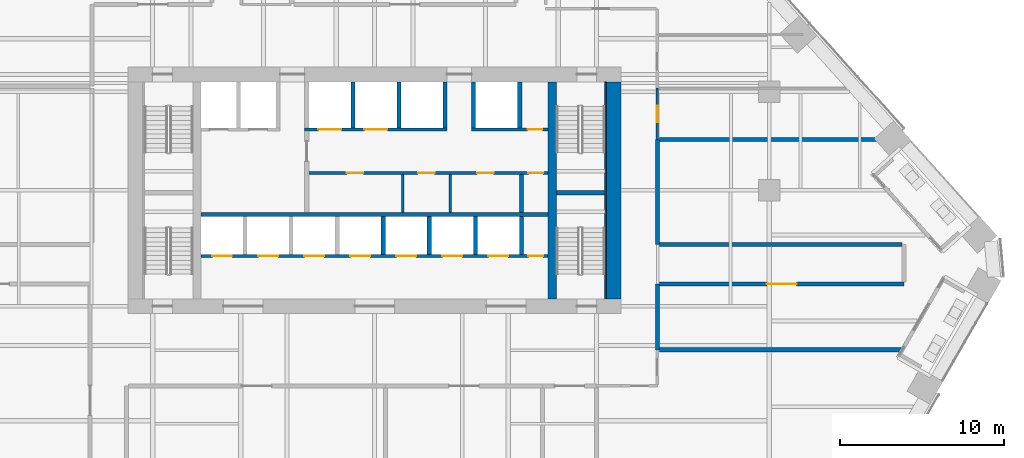
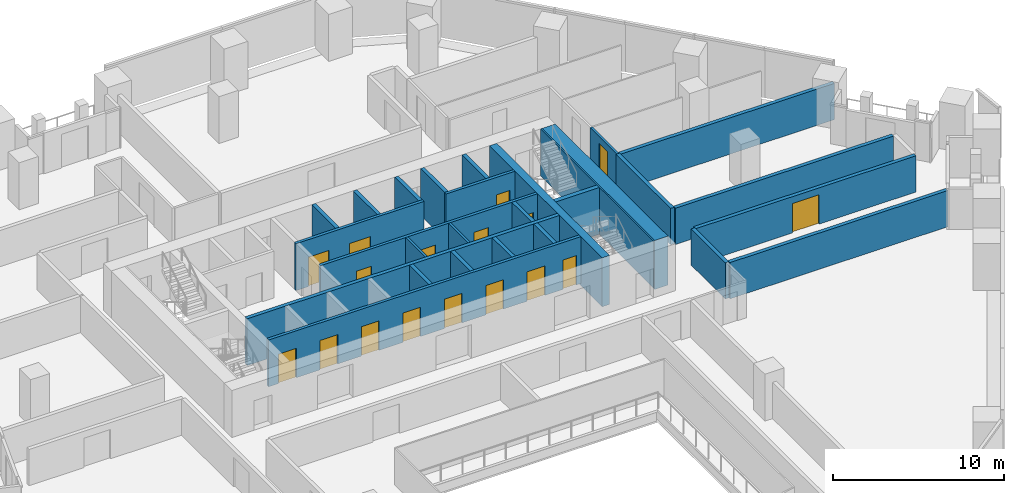
# One storey, part 24 of 31: 28 walls, 17 doors, 17 openings.
"""IFC4 building model written with IfcOpenShell, lengths in metres."""

from ifc_helpers import new_model, si_unit, direction, frame, frame_2d, origin, place, context, subcontext, project, spatial, rectangle, extrude, material, layer, layer_set, type_object, element, fill, save


model = new_model("IFC4")

# Units and contexts
model_context = context("Model", 3, precision=1e-05, world=origin(), true_north=direction((0.0, 1.0)))
body_context = subcontext(model_context, "Body", "Model", "MODEL_VIEW")
ifc_project = project(units=[si_unit("LENGTHUNIT", "METRE"), si_unit("AREAUNIT", "SQUARE_METRE"), si_unit("VOLUMEUNIT", "CUBIC_METRE"), si_unit("PLANEANGLEUNIT", "RADIAN"), si_unit("MASSUNIT", "GRAM", prefix="KILO")], contexts=[model_context])

# Site, building, storey
site_placement = place(None, origin())
site = spatial("IfcSite", under=ifc_project, at=site_placement, CompositionType="ELEMENT")
building_placement = place(site_placement, origin())
building = spatial("IfcBuilding", under=site, at=building_placement, Name="Isthmus Gate Tower", CompositionType="ELEMENT")
storey_placement = place(building_placement, frame((0.0, 0.0, 113.5)))
storey = spatial("IfcBuildingStorey", under=building, at=storey_placement, Name="L27", CompositionType="ELEMENT", Elevation=113.5)

# Wall
ifc_material_1 = material(Name="Double-leaf acoustic stud wall, fire-rated", Category="gypsum")
ifc_layer_1 = layer(ifc_material_1, 0.25)
ifc_layer_set_1 = layer_set([ifc_layer_1], Name="ACOUSTIC WALL 250 60 MIN")
wall_type_1 = type_object("IfcWallType", Name="ACOUSTIC WALL 250 60 MIN", PredefinedType="PARTITIONING", material=ifc_layer_set_1)
wall_1_placement = place(storey_placement, frame((17.199951171875, 1.800048828125, 0.0), z_axis=(0.0, 0.0, 1.0), x_axis=(0.0, -1.0, 0.0)))
element("IfcWall", 1, at=wall_1_placement, inside=storey, type_object=wall_type_1, Name="L27 Acoustic Wall 250 60 Min", PredefinedType="PARTITIONING", context=body_context, shape_type="SweptSolid", body=[
    extrude(rectangle(XDim=4.0, YDim=0.25, at=frame_2d((2.0, 0.0))), origin(), (0.0, 0.0, 1.0), 2.59130859375),
])

# Wall, opening, door
wall_2_placement = place(storey_placement, frame((32.199951171875, 1.800048828125, 0.0), z_axis=(0.0, 0.0, 1.0), x_axis=(-1.0, 0.0, 0.0)))
wall_2 = element("IfcWall", 2, at=wall_2_placement, inside=storey, type_object=wall_type_1, Name="L27 Acoustic Wall 250 60 Min", PredefinedType="PARTITIONING", context=body_context, shape_type="SweptSolid", body=[
    extrude(rectangle(XDim=14.875, YDim=0.25, at=frame_2d((7.4375, 0.0))), origin(), (0.0, 0.0, 1.0), 2.59130859375),
])
opening_1_placement = place(wall_2_placement, frame((6.53759765625, 0.0, 0.0)))
opening_1 = element("IfcOpeningElement", 3, at=opening_1_placement, cuts=wall_2, Name="Opening DT-T2D-17", PredefinedType="OPENING", context=body_context, shape_type="SweptSolid", body=[
    extrude(rectangle(XDim=1.800048828125, YDim=2.10009765625, at=frame_2d((0.89990234375, 1.050048828125))), frame((0.0, 0.135009765625, 0.0), z_axis=(0.0, -1.0, 0.0), x_axis=(1.0, 0.0, 0.0)), (0.0, 0.0, 1.0), 0.27001953125),
])
ifc_material_2 = material(Name="Solid core timber door leaf, fire-rated", Category="wood")
door_type_1 = type_object("IfcDoorType", Name="FIRE DOOR ACOUSTIC ROOM 1800 X 2100 60 MIN", OperationType="DOUBLE_DOOR_DOUBLE_SWING", PredefinedType="DOOR", material=ifc_material_2)
door_1_placement = place(opening_1_placement, origin())
door_1 = element("IfcDoor", 4, at=door_1_placement, inside=storey, type_object=door_type_1, Name="L27 room door", OperationType="DOUBLE_DOOR_DOUBLE_SWING", OverallHeight=2.10009765625, OverallWidth=1.800048828125, PredefinedType="DOOR", context=body_context, shape_type="SweptSolid", body=[
    extrude(rectangle(XDim=1.800048828125, YDim=2.10009765625, at=frame_2d((0.89990234375, 1.050048828125))), frame((0.0, 0.02490234375, 0.0), z_axis=(0.0, -1.0, 0.0), x_axis=(1.0, 0.0, 0.0)), (0.0, 0.0, 1.0), 0.050048828125),
])
fill(opening_1, door_1)

# Walls
wall_3_placement = place(storey_placement, frame((17.199951171875, 10.583984375, 0.0), z_axis=(0.0, 0.0, 1.0), x_axis=(0.0, -1.0, 0.0)))
element("IfcWall", 5, at=wall_3_placement, inside=storey, type_object=wall_type_1, Name="L27 Acoustic Wall 250 60 Min", PredefinedType="PARTITIONING", context=body_context, shape_type="SweptSolid", body=[
    extrude(rectangle(XDim=6.384033203125, YDim=0.25, at=frame_2d((3.19189453125, 0.0))), origin(), (0.0, 0.0, 1.0), 2.59130859375),
])
wall_4_placement = place(storey_placement, frame((17.324951171875, 10.583984375, 0.0), z_axis=(0.0, 0.0, 1.0), x_axis=(1.0, 0.0, 0.0)))
element("IfcWall", 6, at=wall_4_placement, inside=storey, type_object=wall_type_1, Name="L27 Acoustic Wall 250 60 Min", PredefinedType="PARTITIONING", context=body_context, shape_type="SweptSolid", body=[
    extrude(rectangle(XDim=14.45703125, YDim=0.25, at=frame_2d((7.228515625, 0.0))), origin(), (0.0, 0.0, 1.0), 2.59130859375),
])
wall_5_placement = place(storey_placement, frame((17.324951171875, 4.199951171875, 0.0), z_axis=(0.0, 0.0, 1.0), x_axis=(1.0, 0.0, 0.0)))
element("IfcWall", 7, at=wall_5_placement, inside=storey, type_object=wall_type_1, Name="L27 Acoustic Wall 250 60 Min", PredefinedType="PARTITIONING", context=body_context, shape_type="SweptSolid", body=[
    extrude(rectangle(XDim=14.75, YDim=0.25, at=frame_2d((7.375, 0.0))), origin(), (0.0, 0.0, 1.0), 2.59130859375),
])
wall_6_placement = place(storey_placement, frame((17.324951171875, -2.199951171875, 0.0), z_axis=(0.0, 0.0, 1.0), x_axis=(1.0, 0.0, 0.0)))
element("IfcWall", 8, at=wall_6_placement, inside=storey, type_object=wall_type_1, Name="L27 Acoustic Wall 250 60 Min", PredefinedType="PARTITIONING", context=body_context, shape_type="SweptSolid", body=[
    extrude(rectangle(XDim=14.727294921875, YDim=0.25, at=frame_2d((7.36376953125, 0.0))), origin(), (0.0, 0.0, 1.0), 2.59130859375),
])

# Wall, opening, door
ifc_material_3 = material(Name="Gypsum board on steel studs, fire-rated", Category="steel")
ifc_layer_2 = layer(ifc_material_3, 0.14990234375)
ifc_layer_set_2 = layer_set([ifc_layer_2], Name="CORRIDOR WALL 150 60 MIN")
wall_type_2 = type_object("IfcWallType", Name="CORRIDOR WALL 150 60 MIN", PredefinedType="PARTITIONING", material=ifc_layer_set_2)
wall_7_placement = place(storey_placement, frame((17.199951171875, 13.708984375, 0.0), z_axis=(0.0, 0.0, 1.0), x_axis=(0.0, -1.0, 0.0)))
wall_7 = element("IfcWall", 9, at=wall_7_placement, inside=storey, type_object=wall_type_2, Name="L27 Corridor Wall 150 60 Min", PredefinedType="PARTITIONING", context=body_context, shape_type="SweptSolid", body=[
    extrude(rectangle(XDim=3.125, YDim=0.14990234375, at=frame_2d((1.5625, 0.0))), origin(), (0.0, 0.0, 1.0), 2.59130859375),
])
opening_2_placement = place(wall_7_placement, frame((1.0625, 0.0, 0.0)))
opening_2 = element("IfcOpeningElement", 10, at=opening_2_placement, cuts=wall_7, Name="Opening DT-T2D-08", PredefinedType="OPENING", context=body_context, shape_type="SweptSolid", body=[
    extrude(rectangle(XDim=1.0, YDim=2.10009765625, at=frame_2d((0.5, 1.050048828125))), frame((0.0, 0.0849609375, 0.0), z_axis=(0.0, -1.0, 0.0), x_axis=(1.0, 0.0, 0.0)), (0.0, 0.0, 1.0), 0.169921875),
])
ifc_material_4 = material(Name="Solid core timber door leaf, fire-rated", Category="wood")
door_type_2 = type_object("IfcDoorType", Name="FIRE DOOR ROOM 1000 X 2100 60 MIN", OperationType="SINGLE_SWING_LEFT", PredefinedType="DOOR", material=ifc_material_4)
door_2_placement = place(opening_2_placement, origin())
door_2 = element("IfcDoor", 11, at=door_2_placement, inside=storey, type_object=door_type_2, Name="L27 room door", OperationType="SINGLE_SWING_RIGHT", OverallHeight=2.10009765625, OverallWidth=1.0, PredefinedType="DOOR", context=body_context, shape_type="SweptSolid", body=[
    extrude(rectangle(XDim=1.0, YDim=2.10009765625, at=frame_2d((0.5, 1.050048828125))), frame((0.0, 0.02490234375, 0.0), z_axis=(0.0, -1.0, 0.0), x_axis=(1.0, 0.0, 0.0)), (0.0, 0.0, 1.0), 0.050048828125),
])
fill(opening_2, door_2)

# Walls
ifc_material_5 = material(Name="Concrete f'c 70 MPa", Category="concrete")
ifc_layer_3 = layer(ifc_material_5, 0.5)
ifc_layer_set_3 = layer_set([ifc_layer_3], Name="RC CORE SPINE WALL 500 F'C 70")
wall_type_3 = type_object("IfcWallType", Name="RC CORE SPINE WALL 500 F'C 70", PredefinedType="SOLIDWALL", material=ifc_layer_set_3)
wall_8_placement = place(storey_placement, frame((10.800048828125, 0.89990234375, -0.14990234375), z_axis=(0.0, 0.0, 1.0), x_axis=(0.0, 1.0, 0.0)))
element("IfcWall", 12, at=wall_8_placement, inside=storey, type_object=wall_type_3, Name="str-corewall-L27-SPE", PredefinedType="SOLIDWALL", context=body_context, shape_type="SweptSolid", body=[
    extrude(rectangle(XDim=13.2001953125, YDim=0.5, at=frame_2d((6.60009765625, 0.0))), origin(), (0.0, 0.0, 1.0), 3.5),
])
ifc_material_6 = material(Name="Concrete f'c 70 MPa", Category="concrete")
ifc_layer_4 = layer(ifc_material_6, 0.89990234375)
ifc_layer_set_4 = layer_set([ifc_layer_4], Name="RC CORE WALL 900 F'C 70")
wall_type_4 = type_object("IfcWallType", Name="RC CORE WALL 900 F'C 70", PredefinedType="SOLIDWALL", material=ifc_layer_set_4)
wall_9_placement = place(storey_placement, frame((14.550048828125, 0.89990234375, -0.14990234375), z_axis=(0.0, 0.0, 1.0), x_axis=(0.0, 1.0, 0.0)))
element("IfcWall", 13, at=wall_9_placement, inside=storey, type_object=wall_type_4, Name="str-corewall-L27-E", PredefinedType="SOLIDWALL", context=body_context, shape_type="SweptSolid", body=[
    extrude(rectangle(XDim=13.2001953125, YDim=0.89990234375, at=frame_2d((6.60009765625, 0.0))), origin(), (0.0, 0.0, 1.0), 3.5),
])
ifc_material_7 = material(Name="Gypsum board on steel studs, fire-rated", Category="steel")
ifc_layer_5 = layer(ifc_material_7, 0.14990234375)
ifc_layer_set_5 = layer_set([ifc_layer_5], Name="ROOM PARTITION 150 60 MIN")
wall_type_5 = type_object("IfcWallType", Name="ROOM PARTITION 150 60 MIN", PredefinedType="PARTITIONING", material=ifc_layer_set_5)
for number, where, z_axis, x_axis, name in (
    (14, (1.699951171875, 6.14990234375, 0.0), (0.0, 0.0, 1.0), (0.0, 1.0, 0.0), "L27 ROOM PARTITION 150 60 MIN"),
    (15, (4.60009765625, 6.14990234375, 0.0), (0.0, 0.0, 1.0), (0.0, 1.0, 0.0), "L27 ROOM PARTITION 150 60 MIN"),
):
    element("IfcWall", number, at=place(storey_placement, frame(where, z_axis=z_axis, x_axis=x_axis)), inside=storey, type_object=wall_type_5, Name=name, PredefinedType="PARTITIONING", context=body_context, shape_type="SweptSolid", body=[
        extrude(rectangle(XDim=2.300048828125, YDim=0.14990234375, at=frame_2d((1.14990234375, 0.0))), origin(), (0.0, 0.0, 1.0), 3.35009765625),
    ])

# Wall, openings, doors
ifc_material_8 = material(Name="Fire-rated blockwork masonry, 15 MPa", Category="masonry")
ifc_layer_6 = layer(ifc_material_8, 0.199951171875)
ifc_layer_set_6 = layer_set([ifc_layer_6], Name="SHAFT FRONT WALL 200 120 MIN")
wall_type_6 = type_object("IfcWallType", Name="SHAFT FRONT WALL 200 120 MIN", PredefinedType="PARTITIONING", material=ifc_layer_set_6)
wall_10_placement = place(storey_placement, frame((-10.550048828125, 3.5, 0.0), z_axis=(0.0, 0.0, 1.0), x_axis=(1.0, 0.0, 0.0)))
wall_10 = element("IfcWall", 16, at=wall_10_placement, inside=storey, type_object=wall_type_6, Name="L27 SHAFT FRONT WALL 200 120 MIN", PredefinedType="PARTITIONING", context=body_context, shape_type="SweptSolid", body=[
    extrude(rectangle(XDim=21.10009765625, YDim=0.199951171875, at=frame_2d((10.550048828125, 0.0))), origin(), (0.0, 0.0, 1.0), 3.35009765625),
])
opening_3_placement = place(wall_10_placement, frame((0.675048828125, 0.0, 0.0)))
opening_3 = element("IfcOpeningElement", 17, at=opening_3_placement, cuts=wall_10, Name="Opening LD-LA1", PredefinedType="OPENING", context=body_context, shape_type="SweptSolid", body=[
    extrude(rectangle(XDim=1.199951171875, YDim=2.10009765625, at=frame_2d((0.60009765625, 1.050048828125))), frame((0.0, 0.10986328125, 0.0), z_axis=(0.0, -1.0, 0.0), x_axis=(1.0, 0.0, 0.0)), (0.0, 0.0, 1.0), 0.219970703125),
])
opening_4_placement = place(wall_10_placement, frame((3.47509765625, 0.0, 0.0)))
opening_4 = element("IfcOpeningElement", 18, at=opening_4_placement, cuts=wall_10, Name="Opening LD-LA2", PredefinedType="OPENING", context=body_context, shape_type="SweptSolid", body=[
    extrude(rectangle(XDim=1.199951171875, YDim=2.10009765625, at=frame_2d((0.60009765625, 1.050048828125))), frame((0.0, 0.10986328125, 0.0), z_axis=(0.0, -1.0, 0.0), x_axis=(1.0, 0.0, 0.0)), (0.0, 0.0, 1.0), 0.219970703125),
])
opening_5_placement = place(wall_10_placement, frame((6.27490234375, 0.0, 0.0)))
opening_5 = element("IfcOpeningElement", 19, at=opening_5_placement, cuts=wall_10, Name="Opening LD-LA3", PredefinedType="OPENING", context=body_context, shape_type="SweptSolid", body=[
    extrude(rectangle(XDim=1.199951171875, YDim=2.10009765625, at=frame_2d((0.60009765625, 1.050048828125))), frame((0.0, 0.10986328125, 0.0), z_axis=(0.0, -1.0, 0.0), x_axis=(1.0, 0.0, 0.0)), (0.0, 0.0, 1.0), 0.219970703125),
])
opening_6_placement = place(wall_10_placement, frame((9.074951171875, 0.0, 0.0)))
opening_6 = element("IfcOpeningElement", 20, at=opening_6_placement, cuts=wall_10, Name="Opening LD-LA4", PredefinedType="OPENING", context=body_context, shape_type="SweptSolid", body=[
    extrude(rectangle(XDim=1.199951171875, YDim=2.10009765625, at=frame_2d((0.60009765625, 1.050048828125))), frame((0.0, 0.10986328125, 0.0), z_axis=(0.0, -1.0, 0.0), x_axis=(1.0, 0.0, 0.0)), (0.0, 0.0, 1.0), 0.219970703125),
])
opening_7_placement = place(wall_10_placement, frame((11.875, 0.0, 0.0)))
opening_7 = element("IfcOpeningElement", 21, at=opening_7_placement, cuts=wall_10, Name="Opening LD-LA5", PredefinedType="OPENING", context=body_context, shape_type="SweptSolid", body=[
    extrude(rectangle(XDim=1.199951171875, YDim=2.10009765625, at=frame_2d((0.60009765625, 1.050048828125))), frame((0.0, 0.10986328125, 0.0), z_axis=(0.0, -1.0, 0.0), x_axis=(1.0, 0.0, 0.0)), (0.0, 0.0, 1.0), 0.219970703125),
])
opening_8_placement = place(wall_10_placement, frame((14.675048828125, 0.0, 0.0)))
opening_8 = element("IfcOpeningElement", 22, at=opening_8_placement, cuts=wall_10, Name="Opening LD-LA6", PredefinedType="OPENING", context=body_context, shape_type="SweptSolid", body=[
    extrude(rectangle(XDim=1.199951171875, YDim=2.10009765625, at=frame_2d((0.60009765625, 1.050048828125))), frame((0.0, 0.10986328125, 0.0), z_axis=(0.0, -1.0, 0.0), x_axis=(1.0, 0.0, 0.0)), (0.0, 0.0, 1.0), 0.219970703125),
])
opening_9_placement = place(wall_10_placement, frame((17.47509765625, 0.0, 0.0)))
opening_9 = element("IfcOpeningElement", 23, at=opening_9_placement, cuts=wall_10, Name="Opening LD-LA7", PredefinedType="OPENING", context=body_context, shape_type="SweptSolid", body=[
    extrude(rectangle(XDim=1.199951171875, YDim=2.10009765625, at=frame_2d((0.60009765625, 1.050048828125))), frame((0.0, 0.10986328125, 0.0), z_axis=(0.0, -1.0, 0.0), x_axis=(1.0, 0.0, 0.0)), (0.0, 0.0, 1.0), 0.219970703125),
])
opening_10_placement = place(wall_10_placement, frame((19.89990234375, 0.0, 0.0)))
opening_10 = element("IfcOpeningElement", 24, at=opening_10_placement, cuts=wall_10, Name="Opening DC-A04-02", PredefinedType="OPENING", context=body_context, shape_type="SweptSolid", body=[
    extrude(rectangle(XDim=0.89990234375, YDim=2.10009765625, at=frame_2d((0.449951171875, 1.050048828125))), frame((0.0, 0.10986328125, 0.0), z_axis=(0.0, -1.0, 0.0), x_axis=(1.0, 0.0, 0.0)), (0.0, 0.0, 1.0), 0.219970703125),
])
ifc_material_9 = material(Name="Stainless steel sliding leaf", Category="steel")
door_type_3 = type_object("IfcDoorType", Name="LIFT LANDING FIRE DOOR 1200 X 2100 90 MIN", OperationType="DOUBLE_DOOR_SLIDING", PredefinedType="DOOR", material=ifc_material_9)
door_3_placement = place(opening_3_placement, origin())
door_3 = element("IfcDoor", 25, at=door_3_placement, inside=storey, type_object=door_type_3, Name="Lift Landing Door LA1", OperationType="DOUBLE_DOOR_SLIDING", OverallHeight=2.10009765625, OverallWidth=1.199951171875, PredefinedType="DOOR", context=body_context, shape_type="SweptSolid", body=[
    extrude(rectangle(XDim=1.199951171875, YDim=2.10009765625, at=frame_2d((0.60009765625, 1.050048828125))), frame((0.0, 0.02490234375, 0.0), z_axis=(0.0, -1.0, 0.0), x_axis=(1.0, 0.0, 0.0)), (0.0, 0.0, 1.0), 0.050048828125),
])
fill(opening_3, door_3)
door_4_placement = place(opening_4_placement, origin())
door_4 = element("IfcDoor", 26, at=door_4_placement, inside=storey, type_object=door_type_3, Name="Lift Landing Door LA2", OperationType="DOUBLE_DOOR_SLIDING", OverallHeight=2.10009765625, OverallWidth=1.199951171875, PredefinedType="DOOR", context=body_context, shape_type="SweptSolid", body=[
    extrude(rectangle(XDim=1.199951171875, YDim=2.10009765625, at=frame_2d((0.60009765625, 1.050048828125))), frame((0.0, 0.02490234375, 0.0), z_axis=(0.0, -1.0, 0.0), x_axis=(1.0, 0.0, 0.0)), (0.0, 0.0, 1.0), 0.050048828125),
])
fill(opening_4, door_4)
door_5_placement = place(opening_5_placement, origin())
door_5 = element("IfcDoor", 27, at=door_5_placement, inside=storey, type_object=door_type_3, Name="Lift Landing Door LA3", OperationType="DOUBLE_DOOR_SLIDING", OverallHeight=2.10009765625, OverallWidth=1.199951171875, PredefinedType="DOOR", context=body_context, shape_type="SweptSolid", body=[
    extrude(rectangle(XDim=1.199951171875, YDim=2.10009765625, at=frame_2d((0.60009765625, 1.050048828125))), frame((0.0, 0.02490234375, 0.0), z_axis=(0.0, -1.0, 0.0), x_axis=(1.0, 0.0, 0.0)), (0.0, 0.0, 1.0), 0.050048828125),
])
fill(opening_5, door_5)
door_6_placement = place(opening_6_placement, origin())
door_6 = element("IfcDoor", 28, at=door_6_placement, inside=storey, type_object=door_type_3, Name="Lift Landing Door LA4", OperationType="DOUBLE_DOOR_SLIDING", OverallHeight=2.10009765625, OverallWidth=1.199951171875, PredefinedType="DOOR", context=body_context, shape_type="SweptSolid", body=[
    extrude(rectangle(XDim=1.199951171875, YDim=2.10009765625, at=frame_2d((0.60009765625, 1.050048828125))), frame((0.0, 0.02490234375, 0.0), z_axis=(0.0, -1.0, 0.0), x_axis=(1.0, 0.0, 0.0)), (0.0, 0.0, 1.0), 0.050048828125),
])
fill(opening_6, door_6)
door_7_placement = place(opening_7_placement, origin())
door_7 = element("IfcDoor", 29, at=door_7_placement, inside=storey, type_object=door_type_3, Name="Lift Landing Door LA5", OperationType="DOUBLE_DOOR_SLIDING", OverallHeight=2.10009765625, OverallWidth=1.199951171875, PredefinedType="DOOR", context=body_context, shape_type="SweptSolid", body=[
    extrude(rectangle(XDim=1.199951171875, YDim=2.10009765625, at=frame_2d((0.60009765625, 1.050048828125))), frame((0.0, 0.02490234375, 0.0), z_axis=(0.0, -1.0, 0.0), x_axis=(1.0, 0.0, 0.0)), (0.0, 0.0, 1.0), 0.050048828125),
])
fill(opening_7, door_7)
door_8_placement = place(opening_8_placement, origin())
door_8 = element("IfcDoor", 30, at=door_8_placement, inside=storey, type_object=door_type_3, Name="Lift Landing Door LA6", OperationType="DOUBLE_DOOR_SLIDING", OverallHeight=2.10009765625, OverallWidth=1.199951171875, PredefinedType="DOOR", context=body_context, shape_type="SweptSolid", body=[
    extrude(rectangle(XDim=1.199951171875, YDim=2.10009765625, at=frame_2d((0.60009765625, 1.050048828125))), frame((0.0, 0.02490234375, 0.0), z_axis=(0.0, -1.0, 0.0), x_axis=(1.0, 0.0, 0.0)), (0.0, 0.0, 1.0), 0.050048828125),
])
fill(opening_8, door_8)
door_9_placement = place(opening_9_placement, origin())
door_9 = element("IfcDoor", 31, at=door_9_placement, inside=storey, type_object=door_type_3, Name="Lift Landing Door LA7", OperationType="DOUBLE_DOOR_SLIDING", OverallHeight=2.10009765625, OverallWidth=1.199951171875, PredefinedType="DOOR", context=body_context, shape_type="SweptSolid", body=[
    extrude(rectangle(XDim=1.199951171875, YDim=2.10009765625, at=frame_2d((0.60009765625, 1.050048828125))), frame((0.0, 0.02490234375, 0.0), z_axis=(0.0, -1.0, 0.0), x_axis=(1.0, 0.0, 0.0)), (0.0, 0.0, 1.0), 0.050048828125),
])
fill(opening_9, door_9)
ifc_material_10 = material(Name="Steel door leaf, fire-rated", Category="steel")
door_type_4 = type_object("IfcDoorType", Name="RISER FIRE DOOR 900 X 2100 90 MIN", OperationType="SINGLE_SWING_LEFT", PredefinedType="DOOR", material=ifc_material_10)
door_10_placement = place(opening_10_placement, origin())
door_10 = element("IfcDoor", 32, at=door_10_placement, inside=storey, type_object=door_type_4, Name="Riser Door", OperationType="SINGLE_SWING_RIGHT", OverallHeight=2.10009765625, OverallWidth=0.89990234375, PredefinedType="DOOR", context=body_context, shape_type="SweptSolid", body=[
    extrude(rectangle(XDim=0.89990234375, YDim=2.10009765625, at=frame_2d((0.449951171875, 1.050048828125))), frame((0.0, 0.02490234375, 0.0), z_axis=(0.0, -1.0, 0.0), x_axis=(1.0, 0.0, 0.0)), (0.0, 0.0, 1.0), 0.050048828125),
])
fill(opening_10, door_10)

wall_11_placement = place(storey_placement, frame((-4.125, 8.550048828125, 0.0), z_axis=(0.0, 0.0, 1.0), x_axis=(1.0, 0.0, 0.0)))
wall_11 = element("IfcWall", 33, at=wall_11_placement, inside=storey, type_object=wall_type_6, Name="L27 SHAFT FRONT WALL 200 120 MIN", PredefinedType="PARTITIONING", context=body_context, shape_type="SweptSolid", body=[
    extrude(rectangle(XDim=14.675048828125, YDim=0.199951171875, at=frame_2d((7.33740234375, 0.0))), origin(), (0.0, 0.0, 1.0), 3.35009765625),
])
opening_11_placement = place(wall_11_placement, frame((2.4375, 0.0, 0.0)))
opening_11 = element("IfcOpeningElement", 34, at=opening_11_placement, cuts=wall_11, Name="Opening DC-A04-03", PredefinedType="OPENING", context=body_context, shape_type="SweptSolid", body=[
    extrude(rectangle(XDim=1.0, YDim=2.10009765625, at=frame_2d((0.5, 1.050048828125))), frame((0.0, 0.10986328125, 0.0), z_axis=(0.0, -1.0, 0.0), x_axis=(1.0, 0.0, 0.0)), (0.0, 0.0, 1.0), 0.219970703125),
])
opening_12_placement = place(wall_11_placement, frame((6.77490234375, 0.0, 0.0)))
opening_12 = element("IfcOpeningElement", 35, at=opening_12_placement, cuts=wall_11, Name="Opening DC-A04-04", PredefinedType="OPENING", context=body_context, shape_type="SweptSolid", body=[
    extrude(rectangle(XDim=1.0, YDim=2.10009765625, at=frame_2d((0.5, 1.050048828125))), frame((0.0, 0.10986328125, 0.0), z_axis=(0.0, -1.0, 0.0), x_axis=(1.0, 0.0, 0.0)), (0.0, 0.0, 1.0), 0.219970703125),
])
opening_13_placement = place(wall_11_placement, frame((10.362548828125, 0.0, 0.0)))
opening_13 = element("IfcOpeningElement", 36, at=opening_13_placement, cuts=wall_11, Name="Opening DC-A04-05", PredefinedType="OPENING", context=body_context, shape_type="SweptSolid", body=[
    extrude(rectangle(XDim=1.0, YDim=2.10009765625, at=frame_2d((0.5, 1.050048828125))), frame((0.0, 0.10986328125, 0.0), z_axis=(0.0, -1.0, 0.0), x_axis=(1.0, 0.0, 0.0)), (0.0, 0.0, 1.0), 0.219970703125),
])
opening_14_placement = place(wall_11_placement, frame((13.47509765625, 0.0, 0.0)))
opening_14 = element("IfcOpeningElement", 37, at=opening_14_placement, cuts=wall_11, Name="Opening DC-A04-06", PredefinedType="OPENING", context=body_context, shape_type="SweptSolid", body=[
    extrude(rectangle(XDim=0.89990234375, YDim=2.10009765625, at=frame_2d((0.449951171875, 1.050048828125))), frame((0.0, 0.10986328125, 0.0), z_axis=(0.0, -1.0, 0.0), x_axis=(1.0, 0.0, 0.0)), (0.0, 0.0, 1.0), 0.219970703125),
])
ifc_material_11 = material(Name="Steel door leaf, fire-rated", Category="steel")
door_type_5 = type_object("IfcDoorType", Name="FIRE DOOR 1000 X 2100 60 MIN", OperationType="SINGLE_SWING_LEFT", PredefinedType="DOOR", material=ifc_material_11)
door_11_placement = place(opening_11_placement, origin())
door_11 = element("IfcDoor", 38, at=door_11_placement, inside=storey, type_object=door_type_5, Name="WC Men Door", OperationType="SINGLE_SWING_LEFT", OverallHeight=2.10009765625, OverallWidth=1.0, PredefinedType="DOOR", context=body_context, shape_type="SweptSolid", body=[
    extrude(rectangle(XDim=1.0, YDim=2.10009765625, at=frame_2d((0.5, 1.050048828125))), frame((0.0, 0.02490234375, 0.0), z_axis=(0.0, -1.0, 0.0), x_axis=(1.0, 0.0, 0.0)), (0.0, 0.0, 1.0), 0.050048828125),
])
fill(opening_11, door_11)
door_12_placement = place(opening_12_placement, origin())
door_12 = element("IfcDoor", 39, at=door_12_placement, inside=storey, type_object=door_type_5, Name="Accessible WC Door", OperationType="SINGLE_SWING_RIGHT", OverallHeight=2.10009765625, OverallWidth=1.0, PredefinedType="DOOR", context=body_context, shape_type="SweptSolid", body=[
    extrude(rectangle(XDim=1.0, YDim=2.10009765625, at=frame_2d((0.5, 1.050048828125))), frame((0.0, 0.02490234375, 0.0), z_axis=(0.0, -1.0, 0.0), x_axis=(1.0, 0.0, 0.0)), (0.0, 0.0, 1.0), 0.050048828125),
])
fill(opening_12, door_12)
door_13_placement = place(opening_13_placement, origin())
door_13 = element("IfcDoor", 40, at=door_13_placement, inside=storey, type_object=door_type_5, Name="WC Women Door", OperationType="SINGLE_SWING_LEFT", OverallHeight=2.10009765625, OverallWidth=1.0, PredefinedType="DOOR", context=body_context, shape_type="SweptSolid", body=[
    extrude(rectangle(XDim=1.0, YDim=2.10009765625, at=frame_2d((0.5, 1.050048828125))), frame((0.0, 0.02490234375, 0.0), z_axis=(0.0, -1.0, 0.0), x_axis=(1.0, 0.0, 0.0)), (0.0, 0.0, 1.0), 0.050048828125),
])
fill(opening_13, door_13)
door_14_placement = place(opening_14_placement, origin())
door_14 = element("IfcDoor", 41, at=door_14_placement, inside=storey, type_object=door_type_4, Name="Riser Door", OperationType="SINGLE_SWING_RIGHT", OverallHeight=2.10009765625, OverallWidth=0.89990234375, PredefinedType="DOOR", context=body_context, shape_type="SweptSolid", body=[
    extrude(rectangle(XDim=0.89990234375, YDim=2.10009765625, at=frame_2d((0.449951171875, 1.050048828125))), frame((0.0, 0.02490234375, 0.0), z_axis=(0.0, -1.0, 0.0), x_axis=(1.0, 0.0, 0.0)), (0.0, 0.0, 1.0), 0.050048828125),
])
fill(opening_14, door_14)

wall_12_placement = place(storey_placement, frame((-4.25, 11.199951171875, 0.0), z_axis=(0.0, 0.0, 1.0), x_axis=(1.0, 0.0, 0.0)))
wall_12 = element("IfcWall", 42, at=wall_12_placement, inside=storey, type_object=wall_type_6, Name="L27 SHAFT FRONT WALL 200 120 MIN", PredefinedType="PARTITIONING", context=body_context, shape_type="SweptSolid", body=[
    extrude(rectangle(XDim=8.64990234375, YDim=0.199951171875, at=frame_2d((4.324951171875, 0.0))), origin(), (0.0, 0.0, 1.0), 3.35009765625),
])
opening_15_placement = place(wall_12_placement, frame((0.824951171875, 0.0, 0.0)))
opening_15 = element("IfcOpeningElement", 43, at=opening_15_placement, cuts=wall_12, Name="Opening LD-LV1", PredefinedType="OPENING", context=body_context, shape_type="SweptSolid", body=[
    extrude(rectangle(XDim=1.39990234375, YDim=2.10009765625, at=frame_2d((0.699951171875, 1.050048828125))), frame((0.0, 0.10986328125, 0.0), z_axis=(0.0, -1.0, 0.0), x_axis=(1.0, 0.0, 0.0)), (0.0, 0.0, 1.0), 0.219970703125),
])
opening_16_placement = place(wall_12_placement, frame((3.625, 0.0, 0.0)))
opening_16 = element("IfcOpeningElement", 44, at=opening_16_placement, cuts=wall_12, Name="Opening LD-LV2", PredefinedType="OPENING", context=body_context, shape_type="SweptSolid", body=[
    extrude(rectangle(XDim=1.39990234375, YDim=2.10009765625, at=frame_2d((0.699951171875, 1.050048828125))), frame((0.0, 0.10986328125, 0.0), z_axis=(0.0, -1.0, 0.0), x_axis=(1.0, 0.0, 0.0)), (0.0, 0.0, 1.0), 0.219970703125),
])
ifc_material_12 = material(Name="Stainless steel sliding leaf", Category="steel")
door_type_6 = type_object("IfcDoorType", Name="LIFT LANDING FIRE DOOR 1400 X 2100 90 MIN", OperationType="DOUBLE_DOOR_SLIDING", PredefinedType="DOOR", material=ifc_material_12)
door_15_placement = place(opening_15_placement, origin())
door_15 = element("IfcDoor", 45, at=door_15_placement, inside=storey, type_object=door_type_6, Name="Lift Landing Door LV1", OperationType="DOUBLE_DOOR_SLIDING", OverallHeight=2.10009765625, OverallWidth=1.39990234375, PredefinedType="DOOR", context=body_context, shape_type="SweptSolid", body=[
    extrude(rectangle(XDim=1.39990234375, YDim=2.10009765625, at=frame_2d((0.699951171875, 1.050048828125))), frame((0.0, 0.02490234375, 0.0), z_axis=(0.0, -1.0, 0.0), x_axis=(1.0, 0.0, 0.0)), (0.0, 0.0, 1.0), 0.050048828125),
])
fill(opening_15, door_15)
door_16_placement = place(opening_16_placement, origin())
door_16 = element("IfcDoor", 46, at=door_16_placement, inside=storey, type_object=door_type_6, Name="Lift Landing Door LV2", OperationType="DOUBLE_DOOR_SLIDING", OverallHeight=2.10009765625, OverallWidth=1.39990234375, PredefinedType="DOOR", context=body_context, shape_type="SweptSolid", body=[
    extrude(rectangle(XDim=1.39990234375, YDim=2.10009765625, at=frame_2d((0.699951171875, 1.050048828125))), frame((0.0, 0.02490234375, 0.0), z_axis=(0.0, -1.0, 0.0), x_axis=(1.0, 0.0, 0.0)), (0.0, 0.0, 1.0), 0.050048828125),
])
fill(opening_16, door_16)

# Wall, opening, door
wall_13_placement = place(storey_placement, frame((5.89990234375, 11.199951171875, 0.0), z_axis=(0.0, 0.0, 1.0), x_axis=(1.0, 0.0, 0.0)))
wall_13 = element("IfcWall", 47, at=wall_13_placement, inside=storey, type_object=wall_type_6, Name="L27 SHAFT FRONT WALL 200 120 MIN", PredefinedType="PARTITIONING", context=body_context, shape_type="SweptSolid", body=[
    extrude(rectangle(XDim=4.650146484375, YDim=0.199951171875, at=frame_2d((2.3251953125, 0.0))), origin(), (0.0, 0.0, 1.0), 3.35009765625),
])
opening_17_placement = place(wall_13_placement, frame((3.39990234375, 0.0, 0.0)))
opening_17 = element("IfcOpeningElement", 48, at=opening_17_placement, cuts=wall_13, Name="Opening DC-A04-07", PredefinedType="OPENING", context=body_context, shape_type="SweptSolid", body=[
    extrude(rectangle(XDim=0.89990234375, YDim=2.10009765625, at=frame_2d((0.449951171875, 1.050048828125))), frame((0.0, 0.10986328125, 0.0), z_axis=(0.0, -1.0, 0.0), x_axis=(1.0, 0.0, 0.0)), (0.0, 0.0, 1.0), 0.219970703125),
])
door_17_placement = place(opening_17_placement, origin())
door_17 = element("IfcDoor", 49, at=door_17_placement, inside=storey, type_object=door_type_4, Name="Riser Door", OperationType="SINGLE_SWING_LEFT", OverallHeight=2.10009765625, OverallWidth=0.89990234375, PredefinedType="DOOR", context=body_context, shape_type="SweptSolid", body=[
    extrude(rectangle(XDim=0.89990234375, YDim=2.10009765625, at=frame_2d((0.449951171875, 1.050048828125))), frame((0.0, 0.02490234375, 0.0), z_axis=(0.0, -1.0, 0.0), x_axis=(1.0, 0.0, 0.0)), (0.0, 0.0, 1.0), 0.050048828125),
])
fill(opening_17, door_17)

# Walls
ifc_material_13 = material(Name="Fire-rated blockwork masonry, 15 MPa", Category="masonry")
ifc_layer_7 = layer(ifc_material_13, 0.25)
ifc_layer_set_7 = layer_set([ifc_layer_7], Name="SHAFT WALL 250 120 MIN")
wall_type_7 = type_object("IfcWallType", Name="SHAFT WALL 250 120 MIN", PredefinedType="PARTITIONING", material=ifc_layer_set_7)
wall_14_placement = place(storey_placement, frame((-10.550048828125, 6.02490234375, 0.0), z_axis=(0.0, 0.0, 1.0), x_axis=(1.0, 0.0, 0.0)))
element("IfcWall", 50, at=wall_14_placement, inside=storey, type_object=wall_type_7, Name="L27 SHAFT WALL 250 120 MIN", PredefinedType="PARTITIONING", context=body_context, shape_type="SweptSolid", body=[
    extrude(rectangle(XDim=21.10009765625, YDim=0.25, at=frame_2d((10.550048828125, 0.0))), origin(), (0.0, 0.0, 1.0), 3.35009765625),
])
for number, where, z_axis, x_axis, name in (
    (51, (0.52490234375, 3.60009765625, 0.0), (0.0, 0.0, 1.0), (0.0, 1.0, 0.0), "L27 SHAFT WALL 250 120 MIN"),
    (52, (3.324951171875, 3.60009765625, 0.0), (0.0, 0.0, 1.0), (0.0, 1.0, 0.0), "L27 SHAFT WALL 250 120 MIN"),
    (53, (6.125, 3.60009765625, 0.0), (0.0, 0.0, 1.0), (0.0, 1.0, 0.0), "L27 SHAFT WALL 250 120 MIN"),
    (54, (8.925048828125, 3.60009765625, 0.0), (0.0, 0.0, 1.0), (0.0, 1.0, 0.0), "L27 SHAFT WALL 250 120 MIN"),
):
    element("IfcWall", number, at=place(storey_placement, frame(where, z_axis=z_axis, x_axis=x_axis)), inside=storey, type_object=wall_type_7, Name=name, PredefinedType="PARTITIONING", context=body_context, shape_type="SweptSolid", body=[
        extrude(rectangle(XDim=2.2998046875, YDim=0.25, at=frame_2d((1.14990234375, 0.0))), origin(), (0.0, 0.0, 1.0), 3.35009765625),
    ])
wall_15_placement = place(storey_placement, frame((8.925048828125, 6.14990234375, 0.0), z_axis=(0.0, 0.0, 1.0), x_axis=(0.0, 1.0, 0.0)))
element("IfcWall", 55, at=wall_15_placement, inside=storey, type_object=wall_type_7, Name="L27 SHAFT WALL 250 120 MIN", PredefinedType="PARTITIONING", context=body_context, shape_type="SweptSolid", body=[
    extrude(rectangle(XDim=2.300048828125, YDim=0.25, at=frame_2d((1.14990234375, 0.0))), origin(), (0.0, 0.0, 1.0), 3.35009765625),
])
for number, where, z_axis, x_axis, name in (
    (56, (-1.324951171875, 11.300048828125, 0.0), (0.0, 0.0, 1.0), (0.0, 1.0, 0.0), "L27 SHAFT WALL 250 120 MIN"),
    (57, (1.47509765625, 11.300048828125, 0.0), (0.0, 0.0, 1.0), (0.0, 1.0, 0.0), "L27 SHAFT WALL 250 120 MIN"),
    (58, (4.27490234375, 11.300048828125, 0.0), (0.0, 0.0, 1.0), (0.0, 1.0, 0.0), "L27 SHAFT WALL 250 120 MIN"),
    (59, (6.02490234375, 11.300048828125, 0.0), (0.0, 0.0, 1.0), (0.0, 1.0, 0.0), "L27 SHAFT WALL 250 120 MIN"),
    (60, (8.824951171875, 11.300048828125, 0.0), (0.0, 0.0, 1.0), (0.0, 1.0, 0.0), "L27 SHAFT WALL 250 120 MIN"),
):
    element("IfcWall", number, at=place(storey_placement, frame(where, z_axis=z_axis, x_axis=x_axis)), inside=storey, type_object=wall_type_7, Name=name, PredefinedType="PARTITIONING", context=body_context, shape_type="SweptSolid", body=[
        extrude(rectangle(XDim=2.800048828125, YDim=0.25, at=frame_2d((1.39990234375, 0.0))), origin(), (0.0, 0.0, 1.0), 3.35009765625),
    ])
ifc_material_14 = material(Name="Concrete f'c 40 MPa", Category="concrete")
ifc_layer_8 = layer(ifc_material_14, 0.10009765625)
ifc_layer_set_8 = layer_set([ifc_layer_8], Name="STAIR ENCLOSURE WALL 100 180 MIN")
wall_type_8 = type_object("IfcWallType", Name="STAIR ENCLOSURE WALL 100 180 MIN", PredefinedType="SOLIDWALL", material=ifc_layer_set_8)
wall_16_placement = place(storey_placement, frame((14.050048828125, 0.89990234375, 0.0), z_axis=(0.0, 0.0, 1.0), x_axis=(0.0, 1.0, 0.0)))
element("IfcWall", 61, at=wall_16_placement, inside=storey, type_object=wall_type_8, Name="L27 STAIR ENCLOSURE WALL 100 180 MIN", PredefinedType="SOLIDWALL", context=body_context, shape_type="SweptSolid", body=[
    extrude(rectangle(XDim=13.2001953125, YDim=0.10009765625, at=frame_2d((6.60009765625, 0.0))), origin(), (0.0, 0.0, 1.0), 3.35009765625),
])
ifc_material_15 = material(Name="Concrete f'c 40 MPa", Category="concrete")
ifc_layer_9 = layer(ifc_material_15, 0.300048828125)
ifc_layer_set_9 = layer_set([ifc_layer_9], Name="STAIR ENCLOSURE WALL 300 180 MIN")
wall_type_9 = type_object("IfcWallType", Name="STAIR ENCLOSURE WALL 300 180 MIN", PredefinedType="SOLIDWALL", material=ifc_layer_set_9)
wall_17_placement = place(storey_placement, frame((11.050048828125, 7.35009765625, 0.0), z_axis=(0.0, 0.0, 1.0), x_axis=(1.0, 0.0, 0.0)))
element("IfcWall", 62, at=wall_17_placement, inside=storey, type_object=wall_type_9, Name="L27 STAIR ENCLOSURE WALL 300 180 MIN", PredefinedType="SOLIDWALL", context=body_context, shape_type="SweptSolid", body=[
    extrude(rectangle(XDim=2.949951171875, YDim=0.300048828125, at=frame_2d((1.47509765625, 0.0))), origin(), (0.0, 0.0, 1.0), 3.35009765625),
])

save(model, "model.ifc")
